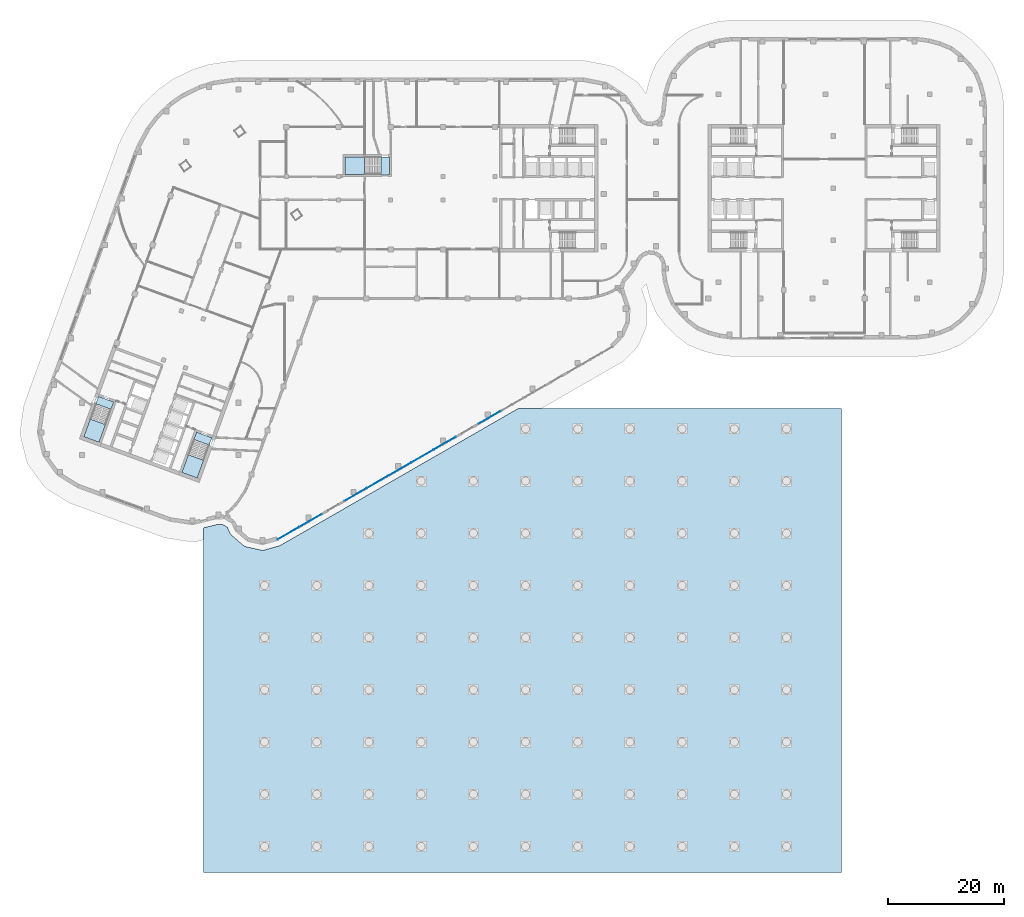
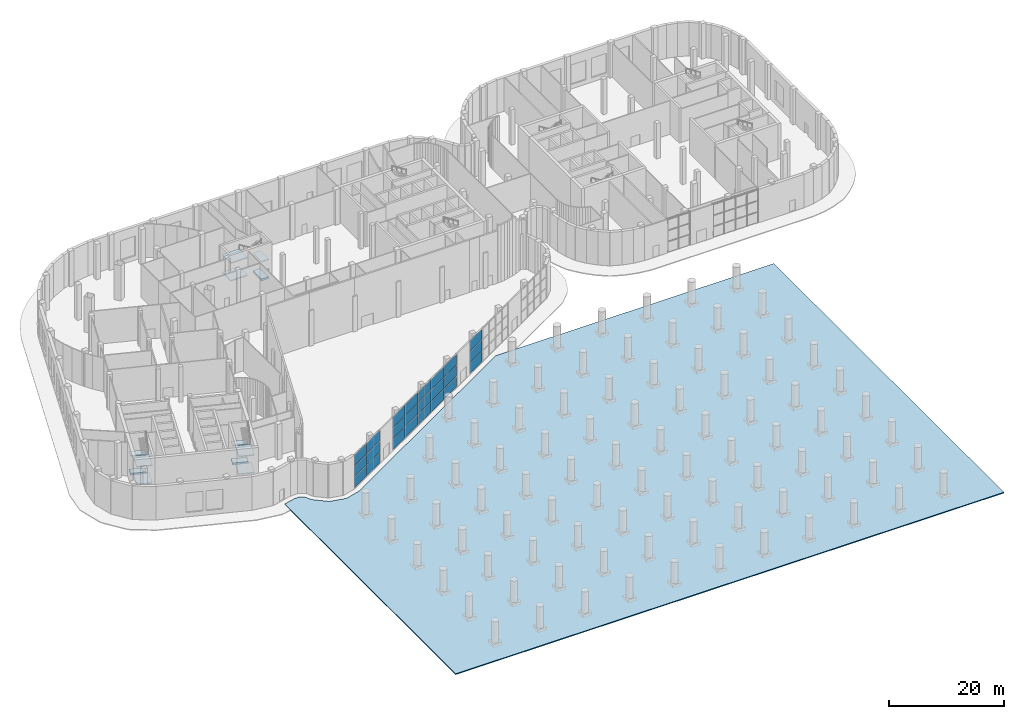
# One storey, part 6 of 30: 24 plates, 13 slabs, 7 elements without a shape of their own.
"""IFC4 building model written with IfcOpenShell, lengths in metres."""

from ifc_helpers import new_model, si_unit, direction, frame, origin, origin_2d, place, context, subcontext, project, spatial, polyline, rectangle, outline, extrude, material, layer, layer_set, type_object, element, aggregate, save


model = new_model("IFC4")

# Units and contexts
model_context = context("Model", 3, precision=1e-05, world=origin(), true_north=direction((0.0, 1.0)))
body_context = subcontext(model_context, "Body", "Model", "MODEL_VIEW")
ifc_project = project(units=[si_unit("LENGTHUNIT", "METRE"), si_unit("AREAUNIT", "SQUARE_METRE"), si_unit("VOLUMEUNIT", "CUBIC_METRE"), si_unit("PLANEANGLEUNIT", "RADIAN"), si_unit("MASSUNIT", "GRAM", prefix="KILO")], contexts=[model_context])

# Site, building, storey
site_placement = place(None, origin())
site = spatial("IfcSite", under=ifc_project, at=site_placement, CompositionType="ELEMENT")
building_placement = place(site_placement, origin())
building = spatial("IfcBuilding", under=site, at=building_placement, Name="Skarvind Civic Tower", CompositionType="ELEMENT")
storey_placement = place(building_placement, origin())
storey = spatial("IfcBuildingStorey", under=building, at=storey_placement, Name="L00", CompositionType="ELEMENT", Elevation=0.0)

# Curtain wall, plates
ifc_material_1 = material(Name="Aluminium alloy 6063 and laminated glass", Category="aluminium")
curtain_wall_type = type_object("IfcCurtainWallType", Name="CW1 PUBLIC HALL GLAZING", PredefinedType="NOTDEFINED", material=ifc_material_1)
curtain_wall_1_placement = place(storey_placement, origin())
curtain_wall_1 = element("IfcCurtainWall", 1, at=curtain_wall_1_placement, inside=storey, type_object=curtain_wall_type, Name="PUBLIC SERVICE HALL GLAZING", PredefinedType="NOTDEFINED")
ifc_material_2 = material(Name="Laminated low-iron glass", Category="glass")
ifc_layer_1 = layer(ifc_material_2, 0.035888671875)
ifc_layer_set_1 = layer_set([ifc_layer_1], Name="CW1 GLASS PANEL 36")
plate_type = type_object("IfcPlateType", Name="CW1 GLASS PANEL 36", PredefinedType="CURTAIN_PANEL", material=ifc_layer_set_1)
plate_1_placement = place(storey_placement, frame((89.320556640625, 88.476806640625, 0.080078125), z_axis=(0.0, 0.0, 1.0), x_axis=(-0.866704918008, -0.498821195522, 0.0)))
plate_1 = element("IfcPlate", 2, at=plate_1_placement, type_object=plate_type, Name="CW1 panel 1.1", PredefinedType="CURTAIN_PANEL", context=body_context, shape_type="SweptSolid", body=[
    extrude(rectangle(XDim=4.28857421875, YDim=0.035888671875, at=origin_2d()), origin(), (0.0, 0.0, 1.0), 2.24658203125),
])
plate_2_placement = place(storey_placement, frame((89.320556640625, 88.476806640625, 2.40673828125), z_axis=(0.0, 0.0, 1.0), x_axis=(-0.866704918008, -0.498821195522, 0.0)))
plate_2 = element("IfcPlate", 3, at=plate_2_placement, type_object=plate_type, Name="CW1 panel 1.2", PredefinedType="CURTAIN_PANEL", context=body_context, shape_type="SweptSolid", body=[
    extrude(rectangle(XDim=4.28857421875, YDim=0.035888671875, at=origin_2d()), origin(), (0.0, 0.0, 1.0), 2.28662109375),
])
plate_3_placement = place(storey_placement, frame((89.320556640625, 88.476806640625, 4.7734375), z_axis=(0.0, 0.0, 1.0), x_axis=(-0.866704918008, -0.498821195522, 0.0)))
plate_3 = element("IfcPlate", 4, at=plate_3_placement, type_object=plate_type, Name="CW1 panel 1.3", PredefinedType="CURTAIN_PANEL", context=body_context, shape_type="SweptSolid", body=[
    extrude(rectangle(XDim=4.28857421875, YDim=0.035888671875, at=origin_2d()), origin(), (0.0, 0.0, 1.0), 2.24658203125),
])
aggregate(curtain_wall_1, [plate_1, plate_2, plate_3])

curtain_wall_2_placement = place(storey_placement, origin())
curtain_wall_2 = element("IfcCurtainWall", 5, at=curtain_wall_2_placement, inside=storey, type_object=curtain_wall_type, Name="PUBLIC SERVICE HALL GLAZING", PredefinedType="NOTDEFINED")
plate_4_placement = place(storey_placement, frame((81.591796875, 84.028564453125, 0.080078125), z_axis=(0.0, 0.0, 1.0), x_axis=(-0.866702488463, -0.498825416846, 0.0)))
plate_4 = element("IfcPlate", 6, at=plate_4_placement, type_object=plate_type, Name="CW1 panel 1.1", PredefinedType="CURTAIN_PANEL", context=body_context, shape_type="SweptSolid", body=[
    extrude(rectangle(XDim=4.32861328125, YDim=0.035888671875, at=origin_2d()), origin(), (0.0, 0.0, 1.0), 2.24658203125),
])
plate_5_placement = place(storey_placement, frame((81.591796875, 84.028564453125, 2.40673828125), z_axis=(0.0, 0.0, 1.0), x_axis=(-0.866702488463, -0.498825416846, 0.0)))
plate_5 = element("IfcPlate", 7, at=plate_5_placement, type_object=plate_type, Name="CW1 panel 1.2", PredefinedType="CURTAIN_PANEL", context=body_context, shape_type="SweptSolid", body=[
    extrude(rectangle(XDim=4.32861328125, YDim=0.035888671875, at=origin_2d()), origin(), (0.0, 0.0, 1.0), 2.28662109375),
])
plate_6_placement = place(storey_placement, frame((81.591796875, 84.028564453125, 4.7734375), z_axis=(0.0, 0.0, 1.0), x_axis=(-0.866702488463, -0.498825416846, 0.0)))
plate_6 = element("IfcPlate", 8, at=plate_6_placement, type_object=plate_type, Name="CW1 panel 1.3", PredefinedType="CURTAIN_PANEL", context=body_context, shape_type="SweptSolid", body=[
    extrude(rectangle(XDim=4.32861328125, YDim=0.035888671875, at=origin_2d()), origin(), (0.0, 0.0, 1.0), 2.24658203125),
])
plate_7_placement = place(storey_placement, frame((77.75341796875, 81.8193359375, 0.080078125), z_axis=(0.0, 0.0, 1.0), x_axis=(-0.866702488463, -0.498825416846, 0.0)))
plate_7 = element("IfcPlate", 9, at=plate_7_placement, type_object=plate_type, Name="CW1 panel 2.1", PredefinedType="CURTAIN_PANEL", context=body_context, shape_type="SweptSolid", body=[
    extrude(rectangle(XDim=4.36865234375, YDim=0.035888671875, at=origin_2d()), origin(), (0.0, 0.0, 1.0), 2.24658203125),
])
plate_8_placement = place(storey_placement, frame((77.75341796875, 81.8193359375, 2.40673828125), z_axis=(0.0, 0.0, 1.0), x_axis=(-0.866702488463, -0.498825416846, 0.0)))
plate_8 = element("IfcPlate", 10, at=plate_8_placement, type_object=plate_type, Name="CW1 panel 2.2", PredefinedType="CURTAIN_PANEL", context=body_context, shape_type="SweptSolid", body=[
    extrude(rectangle(XDim=4.36865234375, YDim=0.035888671875, at=origin_2d()), origin(), (0.0, 0.0, 1.0), 2.28662109375),
])
plate_9_placement = place(storey_placement, frame((77.75341796875, 81.8193359375, 4.7734375), z_axis=(0.0, 0.0, 1.0), x_axis=(-0.866702488463, -0.498825416846, 0.0)))
plate_9 = element("IfcPlate", 11, at=plate_9_placement, type_object=plate_type, Name="CW1 panel 2.3", PredefinedType="CURTAIN_PANEL", context=body_context, shape_type="SweptSolid", body=[
    extrude(rectangle(XDim=4.36865234375, YDim=0.035888671875, at=origin_2d()), origin(), (0.0, 0.0, 1.0), 2.24658203125),
])
plate_10_placement = place(storey_placement, frame((73.897705078125, 79.60009765625, 0.080078125), z_axis=(0.0, 0.0, 1.0), x_axis=(-0.866702488463, -0.498825416846, 0.0)))
plate_10 = element("IfcPlate", 12, at=plate_10_placement, type_object=plate_type, Name="CW1 panel 3.1", PredefinedType="CURTAIN_PANEL", context=body_context, shape_type="SweptSolid", body=[
    extrude(rectangle(XDim=4.36865234375, YDim=0.035888671875, at=origin_2d()), origin(), (0.0, 0.0, 1.0), 2.24658203125),
])
plate_11_placement = place(storey_placement, frame((73.897705078125, 79.60009765625, 2.40673828125), z_axis=(0.0, 0.0, 1.0), x_axis=(-0.866702488463, -0.498825416846, 0.0)))
plate_11 = element("IfcPlate", 13, at=plate_11_placement, type_object=plate_type, Name="CW1 panel 3.2", PredefinedType="CURTAIN_PANEL", context=body_context, shape_type="SweptSolid", body=[
    extrude(rectangle(XDim=4.36865234375, YDim=0.035888671875, at=origin_2d()), origin(), (0.0, 0.0, 1.0), 2.28662109375),
])
plate_12_placement = place(storey_placement, frame((73.897705078125, 79.60009765625, 4.7734375), z_axis=(0.0, 0.0, 1.0), x_axis=(-0.866702488463, -0.498825416846, 0.0)))
plate_12 = element("IfcPlate", 14, at=plate_12_placement, type_object=plate_type, Name="CW1 panel 3.3", PredefinedType="CURTAIN_PANEL", context=body_context, shape_type="SweptSolid", body=[
    extrude(rectangle(XDim=4.36865234375, YDim=0.035888671875, at=origin_2d()), origin(), (0.0, 0.0, 1.0), 2.24658203125),
])
plate_13_placement = place(storey_placement, frame((70.059326171875, 77.39111328125, 0.080078125), z_axis=(0.0, 0.0, 1.0), x_axis=(-0.866702488463, -0.498825416846, 0.0)))
plate_13 = element("IfcPlate", 15, at=plate_13_placement, type_object=plate_type, Name="CW1 panel 4.1", PredefinedType="CURTAIN_PANEL", context=body_context, shape_type="SweptSolid", body=[
    extrude(rectangle(XDim=4.32861328125, YDim=0.035888671875, at=origin_2d()), origin(), (0.0, 0.0, 1.0), 2.24658203125),
])
plate_14_placement = place(storey_placement, frame((70.059326171875, 77.39111328125, 2.40673828125), z_axis=(0.0, 0.0, 1.0), x_axis=(-0.866702488463, -0.498825416846, 0.0)))
plate_14 = element("IfcPlate", 16, at=plate_14_placement, type_object=plate_type, Name="CW1 panel 4.2", PredefinedType="CURTAIN_PANEL", context=body_context, shape_type="SweptSolid", body=[
    extrude(rectangle(XDim=4.32861328125, YDim=0.035888671875, at=origin_2d()), origin(), (0.0, 0.0, 1.0), 2.28662109375),
])
plate_15_placement = place(storey_placement, frame((70.059326171875, 77.39111328125, 4.7734375), z_axis=(0.0, 0.0, 1.0), x_axis=(-0.866702488463, -0.498825416846, 0.0)))
plate_15 = element("IfcPlate", 17, at=plate_15_placement, type_object=plate_type, Name="CW1 panel 4.3", PredefinedType="CURTAIN_PANEL", context=body_context, shape_type="SweptSolid", body=[
    extrude(rectangle(XDim=4.32861328125, YDim=0.035888671875, at=origin_2d()), origin(), (0.0, 0.0, 1.0), 2.24658203125),
])
aggregate(curtain_wall_2, [plate_4, plate_5, plate_6, plate_7, plate_8, plate_9, plate_10, plate_11, plate_12, plate_13, plate_14, plate_15])

curtain_wall_3_placement = place(storey_placement, origin())
curtain_wall_3 = element("IfcCurtainWall", 18, at=curtain_wall_3_placement, inside=storey, type_object=curtain_wall_type, Name="PUBLIC SERVICE HALL GLAZING", PredefinedType="NOTDEFINED")
plate_16_placement = place(storey_placement, frame((66.186279296875, 75.161865234375, 0.080078125), z_axis=(0.0, 0.0, 1.0), x_axis=(-0.866704918008, -0.498821195522, 0.0)))
plate_16 = element("IfcPlate", 19, at=plate_16_placement, type_object=plate_type, Name="CW1 panel 1.1", PredefinedType="CURTAIN_PANEL", context=body_context, shape_type="SweptSolid", body=[
    extrude(rectangle(XDim=4.28857421875, YDim=0.035888671875, at=origin_2d()), origin(), (0.0, 0.0, 1.0), 2.24658203125),
])
plate_17_placement = place(storey_placement, frame((66.186279296875, 75.161865234375, 2.40673828125), z_axis=(0.0, 0.0, 1.0), x_axis=(-0.866704918008, -0.498821195522, 0.0)))
plate_17 = element("IfcPlate", 20, at=plate_17_placement, type_object=plate_type, Name="CW1 panel 1.2", PredefinedType="CURTAIN_PANEL", context=body_context, shape_type="SweptSolid", body=[
    extrude(rectangle(XDim=4.28857421875, YDim=0.035888671875, at=origin_2d()), origin(), (0.0, 0.0, 1.0), 2.28662109375),
])
plate_18_placement = place(storey_placement, frame((66.186279296875, 75.161865234375, 4.7734375), z_axis=(0.0, 0.0, 1.0), x_axis=(-0.866704918008, -0.498821195522, 0.0)))
plate_18 = element("IfcPlate", 21, at=plate_18_placement, type_object=plate_type, Name="CW1 panel 1.3", PredefinedType="CURTAIN_PANEL", context=body_context, shape_type="SweptSolid", body=[
    extrude(rectangle(XDim=4.28857421875, YDim=0.035888671875, at=origin_2d()), origin(), (0.0, 0.0, 1.0), 2.24658203125),
])
aggregate(curtain_wall_3, [plate_16, plate_17, plate_18])

curtain_wall_4_placement = place(storey_placement, origin())
curtain_wall_4 = element("IfcCurtainWall", 22, at=curtain_wall_4_placement, inside=storey, type_object=curtain_wall_type, Name="PUBLIC SERVICE HALL GLAZING", PredefinedType="NOTDEFINED")
plate_19_placement = place(storey_placement, frame((58.45751953125, 70.7138671875, 0.080078125), z_axis=(0.0, 0.0, 1.0), x_axis=(-0.866700058916, -0.498829638128, 0.0)))
plate_19 = element("IfcPlate", 23, at=plate_19_placement, type_object=plate_type, Name="CW1 panel 1.1", PredefinedType="CURTAIN_PANEL", context=body_context, shape_type="SweptSolid", body=[
    extrude(rectangle(XDim=4.32861328125, YDim=0.035888671875, at=origin_2d()), origin(), (0.0, 0.0, 1.0), 2.24658203125),
])
plate_20_placement = place(storey_placement, frame((58.45751953125, 70.7138671875, 2.40673828125), z_axis=(0.0, 0.0, 1.0), x_axis=(-0.866700058916, -0.498829638128, 0.0)))
plate_20 = element("IfcPlate", 24, at=plate_20_placement, type_object=plate_type, Name="CW1 panel 1.2", PredefinedType="CURTAIN_PANEL", context=body_context, shape_type="SweptSolid", body=[
    extrude(rectangle(XDim=4.32861328125, YDim=0.035888671875, at=origin_2d()), origin(), (0.0, 0.0, 1.0), 2.28662109375),
])
plate_21_placement = place(storey_placement, frame((58.45751953125, 70.7138671875, 4.7734375), z_axis=(0.0, 0.0, 1.0), x_axis=(-0.866700058916, -0.498829638128, 0.0)))
plate_21 = element("IfcPlate", 25, at=plate_21_placement, type_object=plate_type, Name="CW1 panel 1.3", PredefinedType="CURTAIN_PANEL", context=body_context, shape_type="SweptSolid", body=[
    extrude(rectangle(XDim=4.32861328125, YDim=0.035888671875, at=origin_2d()), origin(), (0.0, 0.0, 1.0), 2.24658203125),
])
plate_22_placement = place(storey_placement, frame((54.636474609375, 68.5146484375, 0.080078125), z_axis=(0.0, 0.0, 1.0), x_axis=(-0.866700058916, -0.498829638128, 0.0)))
plate_22 = element("IfcPlate", 26, at=plate_22_placement, type_object=plate_type, Name="CW1 panel 2.1", PredefinedType="CURTAIN_PANEL", context=body_context, shape_type="SweptSolid", body=[
    extrude(rectangle(XDim=4.32861328125, YDim=0.035888671875, at=origin_2d()), origin(), (0.0, 0.0, 1.0), 2.24658203125),
])
plate_23_placement = place(storey_placement, frame((54.636474609375, 68.5146484375, 2.40673828125), z_axis=(0.0, 0.0, 1.0), x_axis=(-0.866700058916, -0.498829638128, 0.0)))
plate_23 = element("IfcPlate", 27, at=plate_23_placement, type_object=plate_type, Name="CW1 panel 2.2", PredefinedType="CURTAIN_PANEL", context=body_context, shape_type="SweptSolid", body=[
    extrude(rectangle(XDim=4.32861328125, YDim=0.035888671875, at=origin_2d()), origin(), (0.0, 0.0, 1.0), 2.28662109375),
])
plate_24_placement = place(storey_placement, frame((54.636474609375, 68.5146484375, 4.7734375), z_axis=(0.0, 0.0, 1.0), x_axis=(-0.866700058916, -0.498829638128, 0.0)))
plate_24 = element("IfcPlate", 28, at=plate_24_placement, type_object=plate_type, Name="CW1 panel 2.3", PredefinedType="CURTAIN_PANEL", context=body_context, shape_type="SweptSolid", body=[
    extrude(rectangle(XDim=4.32861328125, YDim=0.035888671875, at=origin_2d()), origin(), (0.0, 0.0, 1.0), 2.24658203125),
])
aggregate(curtain_wall_4, [plate_19, plate_20, plate_21, plate_22, plate_23, plate_24])

# Slabs
ifc_material_3 = material(Name="Granite paving on bedding", Category="masonry")
ifc_layer_2 = layer(ifc_material_3, 0.199951171875)
ifc_layer_set_2 = layer_set([ifc_layer_2], Name="PV1 PAVING 200")
slab_type_1 = type_object("IfcSlabType", Name="PV1 PAVING 200", PredefinedType="USERDEFINED", material=ifc_layer_set_2)
slab_1_placement = place(storey_placement, frame((0.0, 0.0, -0.199951171875)))
element("IfcSlab", 29, at=slab_1_placement, inside=storey, type_object=slab_type_1, Name="PLAZA PAVING", ObjectType="PAVING", PredefinedType="USERDEFINED", context=body_context, shape_type="SweptSolid", body=[
    extrude(outline(polyline([(150.0, 90.0), (150.0, 10.0), (40.0, 10.0), (40.0, 69.42919921875), (42.172119140625, 69.969970703125), (43.279052734375, 70.021484375), (44.05859375, 69.557861328125), (44.58447265625, 68.471435546875), (44.63330078125, 68.382568359375), (44.69091796875, 68.298828125), (44.756591796875, 68.2216796875), (44.829833984375, 68.1513671875), (46.868408203125, 66.38525390625), (46.9462890625, 66.32421875), (47.030029296875, 66.271240234375), (47.118408203125, 66.226806640625), (47.210693359375, 66.191162109375), (47.30615234375, 66.164794921875), (49.939208984375, 65.579345703125), (50.03662109375, 65.5625), (50.135498046875, 65.5556640625), (50.234375, 65.55859375), (50.33251953125, 65.571044921875), (50.428955078125, 65.593505859375), (53.02392578125, 66.328857421875), (53.101806640625, 66.3544921875), (53.177490234375, 66.386474609375), (53.25, 66.42431640625), (94.21240234375, 90.0), (150.0, 90.0)])), origin(), (0.0, 0.0, 1.0), 0.199951171875),
])
ifc_material_4 = material(Name="Concrete C40/50", Category="concrete")
ifc_layer_3 = layer(ifc_material_4, 0.39990234375)
ifc_layer_set_3 = layer_set([ifc_layer_3], Name="Stair floor landing slab 400")
slab_type_2 = type_object("IfcSlabType", Name="Stair floor landing slab 400", PredefinedType="LANDING", material=ifc_layer_set_3)
slab_2_placement = place(storey_placement, frame((0.0, 0.0, -0.39990234375)))
element("IfcSlab", 30, at=slab_2_placement, inside=storey, type_object=slab_type_2, Name="Stair floor landing", PredefinedType="LANDING", context=body_context, shape_type="SweptSolid", body=[
    extrude(outline(polyline([(40.946533203125, 83.70654296875), (38.314208984375, 84.66455078125), (38.7763671875, 85.934326171875), (41.40869140625, 84.976318359375), (40.946533203125, 83.70654296875)])), origin(), (0.0, 0.0, 1.0), 0.39990234375),
])
slab_3_placement = place(storey_placement, frame((0.0, 0.0, -0.39990234375)))
element("IfcSlab", 31, at=slab_3_placement, inside=storey, type_object=slab_type_2, Name="Stair floor landing", PredefinedType="LANDING", context=body_context, shape_type="SweptSolid", body=[
    extrude(outline(polyline([(24.0322265625, 89.863037109375), (21.39990234375, 90.821044921875), (21.862060546875, 92.090576171875), (24.494384765625, 91.132568359375), (24.0322265625, 89.863037109375)])), origin(), (0.0, 0.0, 1.0), 0.39990234375),
])
slab_4_placement = place(storey_placement, frame((0.0, 0.0, -0.39990234375)))
element("IfcSlab", 32, at=slab_4_placement, inside=storey, type_object=slab_type_2, Name="Stair floor landing", PredefinedType="LANDING", context=body_context, shape_type="SweptSolid", body=[
    extrude(outline(polyline([(70.54931640625, 130.3994140625), (70.54931640625, 133.400634765625), (72.00048828125, 133.400634765625), (72.00048828125, 130.3994140625), (70.54931640625, 130.3994140625)])), origin(), (0.0, 0.0, 1.0), 0.39990234375),
])

# Stair, slabs
stair_type_1 = type_object("IfcStairType", Name="Exit stair, half-turn, concrete", PredefinedType="HALF_TURN_STAIR", material=ifc_material_4)
stair_1_placement = place(storey_placement, origin())
stair_1 = element("IfcStair", 33, at=stair_1_placement, inside=storey, type_object=stair_type_1, Name="Exit stair C2S", PredefinedType="HALF_TURN_STAIR")
ifc_layer_4 = layer(ifc_material_4, 0.199951171875)
ifc_layer_set_4 = layer_set([ifc_layer_4], Name="Stair half landing slab")
slab_type_3 = type_object("IfcSlabType", Name="Stair half landing slab", PredefinedType="LANDING", material=ifc_layer_set_4)
slab_5_placement = place(storey_placement, frame((0.0, 0.0, 1.675048828125)))
slab_5 = element("IfcSlab", 34, at=slab_5_placement, type_object=slab_type_3, Name="ST-C2S landing 1", PredefinedType="LANDING", context=body_context, shape_type="SweptSolid", body=[
    extrude(outline(polyline([(37.357177734375, 82.03466796875), (39.9892578125, 81.076416015625), (38.87744140625, 78.021484375), (36.2451171875, 78.9794921875), (37.357177734375, 82.03466796875)])), origin(), (0.0, 0.0, 1.0), 0.199951171875),
])
slab_6_placement = place(storey_placement, frame((0.0, 0.0, 3.550048828125)))
slab_6 = element("IfcSlab", 35, at=slab_6_placement, type_object=slab_type_3, Name="ST-C2S landing 2", PredefinedType="LANDING", context=body_context, shape_type="SweptSolid", body=[
    extrude(outline(polyline([(38.7763671875, 85.934326171875), (41.40869140625, 84.976318359375), (40.946533203125, 83.70654296875), (38.314208984375, 84.66455078125), (38.7763671875, 85.934326171875)])), origin(), (0.0, 0.0, 1.0), 0.199951171875),
])
slab_7_placement = place(storey_placement, frame((0.0, 0.0, 5.425048828125)))
slab_7 = element("IfcSlab", 36, at=slab_7_placement, type_object=slab_type_3, Name="ST-C2S landing 3", PredefinedType="LANDING", context=body_context, shape_type="SweptSolid", body=[
    extrude(outline(polyline([(37.357177734375, 82.03466796875), (39.9892578125, 81.076416015625), (38.87744140625, 78.021484375), (36.2451171875, 78.9794921875), (37.357177734375, 82.03466796875)])), origin(), (0.0, 0.0, 1.0), 0.199951171875),
])
aggregate(stair_1, [slab_5, slab_6, slab_7])

stair_2_placement = place(storey_placement, origin())
stair_2 = element("IfcStair", 37, at=stair_2_placement, inside=storey, type_object=stair_type_1, Name="Exit stair C2N", PredefinedType="HALF_TURN_STAIR")
slab_8_placement = place(storey_placement, frame((0.0, 0.0, 1.675048828125)))
slab_8 = element("IfcSlab", 38, at=slab_8_placement, type_object=slab_type_3, Name="ST-C2N landing 1", PredefinedType="LANDING", context=body_context, shape_type="SweptSolid", body=[
    extrude(outline(polyline([(20.442626953125, 88.19091796875), (23.074951171875, 87.23291015625), (21.962890625, 84.177734375), (19.33056640625, 85.1357421875), (20.442626953125, 88.19091796875)])), origin(), (0.0, 0.0, 1.0), 0.199951171875),
])
slab_9_placement = place(storey_placement, frame((0.0, 0.0, 3.550048828125)))
slab_9 = element("IfcSlab", 39, at=slab_9_placement, type_object=slab_type_3, Name="ST-C2N landing 2", PredefinedType="LANDING", context=body_context, shape_type="SweptSolid", body=[
    extrude(outline(polyline([(21.862060546875, 92.090576171875), (24.494140625, 91.132568359375), (24.0322265625, 89.86279296875), (21.39990234375, 90.821044921875), (21.862060546875, 92.090576171875)])), origin(), (0.0, 0.0, 1.0), 0.199951171875),
])
slab_10_placement = place(storey_placement, frame((0.0, 0.0, 5.425048828125)))
slab_10 = element("IfcSlab", 40, at=slab_10_placement, type_object=slab_type_3, Name="ST-C2N landing 3", PredefinedType="LANDING", context=body_context, shape_type="SweptSolid", body=[
    extrude(outline(polyline([(20.442626953125, 88.19091796875), (23.074951171875, 87.23291015625), (21.962890625, 84.177734375), (19.33056640625, 85.1357421875), (20.442626953125, 88.19091796875)])), origin(), (0.0, 0.0, 1.0), 0.199951171875),
])
aggregate(stair_2, [slab_8, slab_9, slab_10])

stair_type_2 = type_object("IfcStairType", Name="Exit stair 1450, half-turn, concrete", PredefinedType="HALF_TURN_STAIR", material=ifc_material_4)
stair_3_placement = place(storey_placement, origin())
stair_3 = element("IfcStair", 41, at=stair_3_placement, inside=storey, type_object=stair_type_2, Name="Exit stair CM", PredefinedType="HALF_TURN_STAIR")
slab_11_placement = place(storey_placement, frame((0.0, 0.0, 1.675048828125)))
slab_11 = element("IfcSlab", 42, at=slab_11_placement, type_object=slab_type_3, Name="ST-CM landing 1", PredefinedType="LANDING", context=body_context, shape_type="SweptSolid", body=[
    extrude(outline(polyline([(67.75048828125, 133.400634765625), (67.75048828125, 130.3994140625), (64.3994140625, 130.3994140625), (64.3994140625, 133.400634765625), (67.75048828125, 133.400634765625)])), origin(), (0.0, 0.0, 1.0), 0.199951171875),
])
slab_12_placement = place(storey_placement, frame((0.0, 0.0, 3.550048828125)))
slab_12 = element("IfcSlab", 43, at=slab_12_placement, type_object=slab_type_3, Name="ST-CM landing 2", PredefinedType="LANDING", context=body_context, shape_type="SweptSolid", body=[
    extrude(outline(polyline([(72.00048828125, 133.400634765625), (72.00048828125, 130.3994140625), (70.54931640625, 130.3994140625), (70.54931640625, 133.400634765625), (72.00048828125, 133.400634765625)])), origin(), (0.0, 0.0, 1.0), 0.199951171875),
])
slab_13_placement = place(storey_placement, frame((0.0, 0.0, 5.425048828125)))
slab_13 = element("IfcSlab", 44, at=slab_13_placement, type_object=slab_type_3, Name="ST-CM landing 3", PredefinedType="LANDING", context=body_context, shape_type="SweptSolid", body=[
    extrude(outline(polyline([(67.75048828125, 133.400634765625), (67.75048828125, 130.3994140625), (64.3994140625, 130.3994140625), (64.3994140625, 133.400634765625), (67.75048828125, 133.400634765625)])), origin(), (0.0, 0.0, 1.0), 0.199951171875),
])
aggregate(stair_3, [slab_11, slab_12, slab_13])

save(model, "model.ifc")
